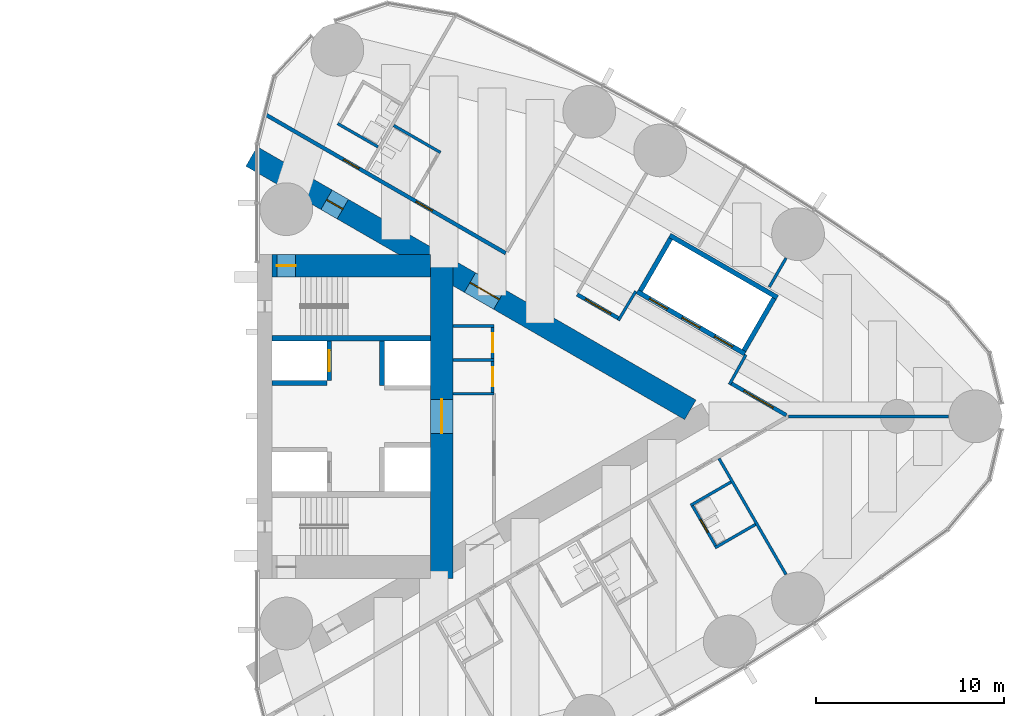
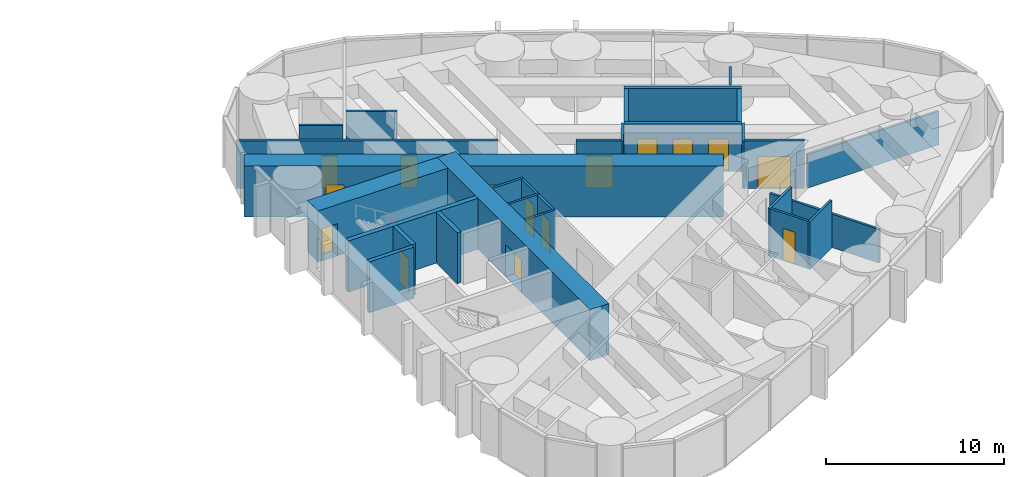
# One storey, part 15 of 19: 29 walls, 15 doors, 15 openings.
"""IFC4 building model written with IfcOpenShell, lengths in metres."""

from ifc_helpers import new_model, si_unit, direction, frame, frame_2d, origin, place, context, subcontext, project, spatial, rectangle, extrude, material, layer, layer_set, type_object, element, fill, save


model = new_model("IFC4")

# Units and contexts
model_context = context("Model", 3, precision=1e-05, world=origin(), true_north=direction((0.0, 1.0)))
body_context = subcontext(model_context, "Body", "Model", "MODEL_VIEW")
ifc_project = project(units=[si_unit("LENGTHUNIT", "METRE"), si_unit("AREAUNIT", "SQUARE_METRE"), si_unit("VOLUMEUNIT", "CUBIC_METRE"), si_unit("PLANEANGLEUNIT", "RADIAN"), si_unit("MASSUNIT", "GRAM", prefix="KILO")], contexts=[model_context])

# Site, building, storey
site_placement = place(None, origin())
site = spatial("IfcSite", under=ifc_project, at=site_placement, CompositionType="ELEMENT")
building_placement = place(site_placement, origin())
building = spatial("IfcBuilding", under=site, at=building_placement, Name="Lancet Gate Hotel", CompositionType="ELEMENT")
storey_placement = place(building_placement, frame((0.0, 0.0, 191.300048828125)))
storey = spatial("IfcBuildingStorey", under=building, at=storey_placement, Name="L51", CompositionType="ELEMENT", Elevation=191.300048828125)

# Wall
ifc_material_1 = material(Name="Moisture resistant board partition")
ifc_layer_1 = layer(ifc_material_1, 0.14990234375)
ifc_layer_set_1 = layer_set([ifc_layer_1], Name="Bathroom wall 150")
wall_type_1 = type_object("IfcWallType", Name="Bathroom wall 150", PredefinedType="PARTITIONING", material=ifc_layer_set_1)
wall_1_placement = place(storey_placement, frame((51.81689453125, -6.9775390625, 0.0), z_axis=(0.0, 0.0, 1.0), x_axis=(0.866006523861, 0.500032699561, 0.0)))
element("IfcWall", 1, at=wall_1_placement, inside=storey, type_object=wall_type_1, Name="T2 bathroom wall 150 L51", PredefinedType="PARTITIONING", context=body_context, shape_type="SweptSolid", body=[
    extrude(rectangle(XDim=2.474853515625, YDim=0.14990234375, at=frame_2d((1.2373046875, 0.0))), origin(), (0.0, 0.0, 1.0), 3.25),
])

# Wall, opening, door
wall_2_placement = place(storey_placement, frame((50.581787109375, -4.688232421875, 0.0), z_axis=(0.0, 0.0, 1.0), x_axis=(0.500006934395, -0.866021400173, 0.0)))
wall_2 = element("IfcWall", 2, at=wall_2_placement, inside=storey, type_object=wall_type_1, Name="T2 bathroom wall 150 L51", PredefinedType="PARTITIONING", context=body_context, shape_type="SweptSolid", body=[
    extrude(rectangle(XDim=2.60009765625, YDim=0.14990234375, at=frame_2d((1.300048828125, 0.0))), origin(), (0.0, 0.0, 1.0), 3.25),
])
opening_1_placement = place(wall_2_placement, frame((0.89990234375, 0.0, 0.0)))
opening_1 = element("IfcOpeningElement", 3, at=opening_1_placement, cuts=wall_2, Name="Opening 5156-B", PredefinedType="OPENING", context=body_context, shape_type="SweptSolid", body=[
    extrude(rectangle(XDim=0.800048828125, YDim=2.199951171875, at=frame_2d((0.39990234375, 1.10009765625))), frame((0.0, 0.0849609375, 0.0), z_axis=(0.0, -1.0, 0.0), x_axis=(1.0, 0.0, 0.0)), (0.0, 0.0, 1.0), 0.169921875),
])
ifc_material_2 = material(Name="Timber door set", Category="wood")
door_type_1 = type_object("IfcDoorType", Name="Bathroom door 800", OperationType="SINGLE_SWING_RIGHT", PredefinedType="DOOR", material=ifc_material_2)
door_1_placement = place(opening_1_placement, origin())
door_1 = element("IfcDoor", 4, at=door_1_placement, inside=storey, type_object=door_type_1, Name="5156-B", OperationType="SINGLE_SWING_RIGHT", OverallHeight=2.199951171875, OverallWidth=0.800048828125, PredefinedType="DOOR", context=body_context, shape_type="SweptSolid", body=[
    extrude(rectangle(XDim=0.800048828125, YDim=2.199951171875, at=frame_2d((0.39990234375, 1.10009765625))), frame((0.0, 0.02490234375, 0.0), z_axis=(0.0, -1.0, 0.0), x_axis=(1.0, 0.0, 0.0)), (0.0, 0.0, 1.0), 0.050048828125),
])
fill(opening_1, door_1)

# Walls
wall_3_placement = place(storey_placement, frame((50.516845703125, -4.725830078125, 0.0), z_axis=(0.0, 0.0, 1.0), x_axis=(0.866031185235, 0.4999899861, 0.0)))
element("IfcWall", 5, at=wall_3_placement, inside=storey, type_object=wall_type_1, Name="T2 bathroom wall 150 L51", PredefinedType="PARTITIONING", context=body_context, shape_type="SweptSolid", body=[
    extrude(rectangle(XDim=2.47509765625, YDim=0.14990234375, at=frame_2d((1.237548828125, 0.0))), origin(), (0.0, 0.0, 1.0), 3.25),
])
wall_4_placement = place(storey_placement, frame((34.74853515625, 15.4462890625, 0.0), z_axis=(0.0, 0.0, 1.0), x_axis=(0.866018712932, -0.500011588718, 0.0)))
element("IfcWall", 6, at=wall_4_placement, inside=storey, type_object=wall_type_1, Name="T2 bathroom wall 150 L51", PredefinedType="PARTITIONING", context=body_context, shape_type="SweptSolid", body=[
    extrude(rectangle(XDim=2.875, YDim=0.14990234375, at=frame_2d((1.4375, 0.0))), origin(), (0.0, 0.0, 1.0), 3.25),
])
wall_5_placement = place(storey_placement, frame((31.775146484375, 15.54638671875, 0.0), z_axis=(0.0, 0.0, 1.0), x_axis=(0.866031185235, -0.4999899861, 0.0)))
element("IfcWall", 7, at=wall_5_placement, inside=storey, type_object=wall_type_1, Name="T2 bathroom wall 150 L51", PredefinedType="PARTITIONING", context=body_context, shape_type="SweptSolid", body=[
    extrude(rectangle(XDim=2.47509765625, YDim=0.14990234375, at=frame_2d((1.237548828125, 0.0))), origin(), (0.0, 0.0, 1.0), 3.25),
])

# Wall, openings, doors
ifc_material_3 = material(Name="Concrete C70/85", Category="concrete")
ifc_layer_2 = layer(ifc_material_3, 1.199951171875)
ifc_layer_set_2 = layer_set([ifc_layer_2], Name="Buttress wall 1200")
wall_type_2 = type_object("IfcWallType", Name="Buttress wall 1200", PredefinedType="SHEAR", material=ifc_layer_set_2)
wall_6_placement = place(storey_placement, frame((27.199951171875, 13.800048828125, 0.0), z_axis=(0.0, 0.0, 1.0), x_axis=(0.866024515034, -0.500001539357, 0.0)))
wall_6 = element("IfcWall", 8, at=wall_6_placement, inside=storey, type_object=wall_type_2, Name="T2 buttress wall N L51", PredefinedType="SHEAR", context=body_context, shape_type="SweptSolid", body=[
    extrude(rectangle(XDim=26.9072265625, YDim=1.199951171875, at=frame_2d((13.45361328125, 0.0))), origin(), (0.0, 0.0, 1.0), 3.5),
])
opening_2_placement = place(wall_6_placement, frame((4.60009765625, 0.0, 0.0)))
opening_2 = element("IfcOpeningElement", 9, at=opening_2_placement, cuts=wall_6, Name="Opening T2-L51-LN", PredefinedType="OPENING", context=body_context, shape_type="SweptSolid", body=[
    extrude(rectangle(XDim=1.0, YDim=2.199951171875, at=frame_2d((0.5, 1.10009765625))), frame((0.0, 0.60986328125, 0.0), z_axis=(0.0, -1.0, 0.0), x_axis=(1.0, 0.0, 0.0)), (0.0, 0.0, 1.0), 1.219970703125),
])
opening_3_placement = place(wall_6_placement, frame((13.39453125, 0.0, 0.0)))
opening_3 = element("IfcOpeningElement", 10, at=opening_3_placement, cuts=wall_6, Name="Opening T2-L51-LHN", PredefinedType="OPENING", context=body_context, shape_type="SweptSolid", body=[
    extrude(rectangle(XDim=1.800048828125, YDim=2.199951171875, at=frame_2d((0.89990234375, 1.10009765625))), frame((0.0, 0.60986328125, 0.0), z_axis=(0.0, -1.0, 0.0), x_axis=(1.0, 0.0, 0.0)), (0.0, 0.0, 1.0), 1.219970703125),
])
ifc_material_4 = material(Name="Timber door set", Category="wood")
door_type_2 = type_object("IfcDoorType", Name="Lobby double door 1800", OperationType="DOUBLE_DOOR_SINGLE_SWING", PredefinedType="DOOR", material=ifc_material_4)
door_2_placement = place(opening_3_placement, origin())
door_2 = element("IfcDoor", 11, at=door_2_placement, inside=storey, type_object=door_type_2, Name="T2-L51-LHN", OperationType="DOUBLE_DOOR_SINGLE_SWING", OverallHeight=2.199951171875, OverallWidth=1.800048828125, PredefinedType="DOOR", context=body_context, shape_type="SweptSolid", body=[
    extrude(rectangle(XDim=1.800048828125, YDim=2.199951171875, at=frame_2d((0.89990234375, 1.10009765625))), frame((0.0, 0.02490234375, 0.0), z_axis=(0.0, -1.0, 0.0), x_axis=(1.0, 0.0, 0.0)), (0.0, 0.0, 1.0), 0.050048828125),
])
fill(opening_3, door_2)
ifc_material_5 = material(Name="Timber door set", Category="wood")
door_type_3 = type_object("IfcDoorType", Name="Stair lobby door 1000", OperationType="SINGLE_SWING_LEFT", PredefinedType="DOOR", material=ifc_material_5)
door_3_placement = place(opening_2_placement, origin())
door_3 = element("IfcDoor", 12, at=door_3_placement, inside=storey, type_object=door_type_3, Name="T2-L51-LN", OperationType="SINGLE_SWING_LEFT", OverallHeight=2.199951171875, OverallWidth=1.0, PredefinedType="DOOR", context=body_context, shape_type="SweptSolid", body=[
    extrude(rectangle(XDim=1.0, YDim=2.199951171875, at=frame_2d((0.5, 1.10009765625))), frame((0.0, 0.02490234375, 0.0), z_axis=(0.0, -1.0, 0.0), x_axis=(1.0, 0.0, 0.0)), (0.0, 0.0, 1.0), 0.050048828125),
])
fill(opening_2, door_3)

# Wall, opening, door
ifc_material_6 = material(Name="Concrete C70/85", Category="concrete")
ifc_layer_3 = layer(ifc_material_6, 1.199951171875)
ifc_layer_set_3 = layer_set([ifc_layer_3], Name="Core wall 1200")
wall_type_3 = type_object("IfcWallType", Name="Core wall 1200", PredefinedType="SHEAR", material=ifc_layer_set_3)
wall_7_placement = place(storey_placement, frame((37.300048828125, -8.60009765625, 0.0), z_axis=(0.0, 0.0, 1.0), x_axis=(0.0, 1.0, 0.0)))
wall_7 = element("IfcWall", 13, at=wall_7_placement, inside=storey, type_object=wall_type_3, Name="T2 core wall back L51", PredefinedType="SHEAR", context=body_context, shape_type="SweptSolid", body=[
    extrude(rectangle(XDim=17.2001953125, YDim=1.199951171875, at=frame_2d((8.60009765625, 0.0))), origin(), (0.0, 0.0, 1.0), 3.5),
])
opening_4_placement = place(wall_7_placement, frame((7.699951171875, 0.0, 0.0)))
opening_4 = element("IfcOpeningElement", 14, at=opening_4_placement, cuts=wall_7, Name="Opening T2-L51-LL", PredefinedType="OPENING", context=body_context, shape_type="SweptSolid", body=[
    extrude(rectangle(XDim=1.800048828125, YDim=2.199951171875, at=frame_2d((0.89990234375, 1.10009765625))), frame((0.0, 0.60986328125, 0.0), z_axis=(0.0, -1.0, 0.0), x_axis=(1.0, 0.0, 0.0)), (0.0, 0.0, 1.0), 1.219970703125),
])
door_4_placement = place(opening_4_placement, origin())
door_4 = element("IfcDoor", 15, at=door_4_placement, inside=storey, type_object=door_type_2, Name="T2-L51-LL", OperationType="DOUBLE_DOOR_SINGLE_SWING", OverallHeight=2.199951171875, OverallWidth=1.800048828125, PredefinedType="DOOR", context=body_context, shape_type="SweptSolid", body=[
    extrude(rectangle(XDim=1.800048828125, YDim=2.199951171875, at=frame_2d((0.89990234375, 1.10009765625))), frame((0.0, 0.02490234375, 0.0), z_axis=(0.0, -1.0, 0.0), x_axis=(1.0, 0.0, 0.0)), (0.0, 0.0, 1.0), 0.050048828125),
])
fill(opening_4, door_4)

wall_8_placement = place(storey_placement, frame((28.300048828125, 8.0, 0.0), z_axis=(0.0, 0.0, 1.0), x_axis=(1.0, 0.0, 0.0)))
wall_8 = element("IfcWall", 16, at=wall_8_placement, inside=storey, type_object=wall_type_3, Name="T2 core wall side-N L51", PredefinedType="SHEAR", context=body_context, shape_type="SweptSolid", body=[
    extrude(rectangle(XDim=8.39990234375, YDim=1.199951171875, at=frame_2d((4.199951171875, 0.0))), origin(), (0.0, 0.0, 1.0), 3.5),
])
opening_5_placement = place(wall_8_placement, frame((0.25, 0.0, 0.0)))
opening_5 = element("IfcOpeningElement", 17, at=opening_5_placement, cuts=wall_8, Name="Opening T2-L51-ST2", PredefinedType="OPENING", context=body_context, shape_type="SweptSolid", body=[
    extrude(rectangle(XDim=1.0, YDim=2.199951171875, at=frame_2d((0.5, 1.10009765625))), frame((0.0, 0.60986328125, 0.0), z_axis=(0.0, -1.0, 0.0), x_axis=(1.0, 0.0, 0.0)), (0.0, 0.0, 1.0), 1.219970703125),
])
ifc_material_7 = material(Name="Timber door set", Category="wood")
door_type_4 = type_object("IfcDoorType", Name="Stair door 1000", OperationType="SINGLE_SWING_RIGHT", PredefinedType="DOOR", material=ifc_material_7)
door_5_placement = place(opening_5_placement, origin())
door_5 = element("IfcDoor", 18, at=door_5_placement, inside=storey, type_object=door_type_4, Name="T2-L51-ST2", OperationType="SINGLE_SWING_RIGHT", OverallHeight=2.199951171875, OverallWidth=1.0, PredefinedType="DOOR", context=body_context, shape_type="SweptSolid", body=[
    extrude(rectangle(XDim=1.0, YDim=2.199951171875, at=frame_2d((0.5, 1.10009765625))), frame((0.0, 0.02490234375, 0.0), z_axis=(0.0, -1.0, 0.0), x_axis=(1.0, 0.0, 0.0)), (0.0, 0.0, 1.0), 0.050048828125),
])
fill(opening_5, door_5)

ifc_material_8 = material(Name="Gypsum board partition")
ifc_layer_4 = layer(ifc_material_8, 0.199951171875)
ifc_layer_set_4 = layer_set([ifc_layer_4], Name="Corridor wall 200")
wall_type_4 = type_object("IfcWallType", Name="Corridor wall 200", PredefinedType="PARTITIONING", material=ifc_layer_set_4)
wall_9_placement = place(storey_placement, frame((52.63916015625, 1.7685546875, 0.0), z_axis=(0.0, 0.0, 1.0), x_axis=(0.866027340901, -0.4999966448, 0.0)))
wall_9 = element("IfcWall", 19, at=wall_9_placement, inside=storey, type_object=wall_type_4, Name="T2 corridor wall 200 L51", PredefinedType="PARTITIONING", context=body_context, shape_type="SweptSolid", body=[
    extrude(rectangle(XDim=3.4169921875, YDim=0.199951171875, at=frame_2d((1.70849609375, 0.0))), origin(), (0.0, 0.0, 1.0), 3.25),
])
opening_6_placement = place(wall_9_placement, frame((0.80859375, 0.0, 0.0)))
opening_6 = element("IfcOpeningElement", 20, at=opening_6_placement, cuts=wall_9, Name="Opening T2-L51-LO1", PredefinedType="OPENING", context=body_context, shape_type="SweptSolid", body=[
    extrude(rectangle(XDim=1.800048828125, YDim=2.199951171875, at=frame_2d((0.89990234375, 1.10009765625))), frame((0.0, 0.10986328125, 0.0), z_axis=(0.0, -1.0, 0.0), x_axis=(1.0, 0.0, 0.0)), (0.0, 0.0, 1.0), 0.219970703125),
])
ifc_material_9 = material(Name="Timber door set", Category="wood")
door_type_5 = type_object("IfcDoorType", Name="Double door 1800", OperationType="DOUBLE_DOOR_SINGLE_SWING", PredefinedType="DOOR", material=ifc_material_9)
door_6_placement = place(opening_6_placement, origin())
door_6 = element("IfcDoor", 21, at=door_6_placement, inside=storey, type_object=door_type_5, Name="T2-L51-LO1", OperationType="DOUBLE_DOOR_SINGLE_SWING", OverallHeight=2.199951171875, OverallWidth=1.800048828125, PredefinedType="DOOR", context=body_context, shape_type="SweptSolid", body=[
    extrude(rectangle(XDim=1.800048828125, YDim=2.199951171875, at=frame_2d((0.89990234375, 1.10009765625))), frame((0.0, 0.02490234375, 0.0), z_axis=(0.0, -1.0, 0.0), x_axis=(1.0, 0.0, 0.0)), (0.0, 0.0, 1.0), 0.050048828125),
])
fill(opening_6, door_6)

# Wall, openings, doors
wall_10_placement = place(storey_placement, frame((27.95947265625, 16.017333984375, 0.0), z_axis=(0.0, 0.0, 1.0), x_axis=(0.866024165033, -0.500002145574, 0.0)))
wall_10 = element("IfcWall", 22, at=wall_10_placement, inside=storey, type_object=wall_type_4, Name="T2 corridor wall 200 L51", PredefinedType="PARTITIONING", context=body_context, shape_type="SweptSolid", body=[
    extrude(rectangle(XDim=14.708984375, YDim=0.199951171875, at=frame_2d((7.3544921875, 0.0))), origin(), (0.0, 0.0, 1.0), 3.25),
])
opening_7_placement = place(wall_10_placement, frame((9.215087890625, 0.0, 0.0)))
opening_7 = element("IfcOpeningElement", 23, at=opening_7_placement, cuts=wall_10, Name="Opening 5162-E", PredefinedType="OPENING", context=body_context, shape_type="SweptSolid", body=[
    extrude(rectangle(XDim=1.0, YDim=2.199951171875, at=frame_2d((0.5, 1.10009765625))), frame((0.0, 0.10986328125, 0.0), z_axis=(0.0, -1.0, 0.0), x_axis=(1.0, 0.0, 0.0)), (0.0, 0.0, 1.0), 0.219970703125),
])
opening_8_placement = place(wall_10_placement, frame((4.764892578125, 0.0, 0.0)))
opening_8 = element("IfcOpeningElement", 24, at=opening_8_placement, cuts=wall_10, Name="Opening 5164-E", PredefinedType="OPENING", context=body_context, shape_type="SweptSolid", body=[
    extrude(rectangle(XDim=0.949951171875, YDim=2.199951171875, at=frame_2d((0.47509765625, 1.10009765625))), frame((0.0, 0.10986328125, 0.0), z_axis=(0.0, -1.0, 0.0), x_axis=(1.0, 0.0, 0.0)), (0.0, 0.0, 1.0), 0.219970703125),
])
ifc_material_10 = material(Name="Timber door set", Category="wood")
door_type_6 = type_object("IfcDoorType", Name="Accessible guest room door 1000", OperationType="SINGLE_SWING_LEFT", PredefinedType="DOOR", material=ifc_material_10)
door_7_placement = place(opening_7_placement, origin())
door_7 = element("IfcDoor", 25, at=door_7_placement, inside=storey, type_object=door_type_6, Name="5162-E", OperationType="SINGLE_SWING_LEFT", OverallHeight=2.199951171875, OverallWidth=1.0, PredefinedType="DOOR", context=body_context, shape_type="SweptSolid", body=[
    extrude(rectangle(XDim=1.0, YDim=2.199951171875, at=frame_2d((0.5, 1.10009765625))), frame((0.0, 0.02490234375, 0.0), z_axis=(0.0, -1.0, 0.0), x_axis=(1.0, 0.0, 0.0)), (0.0, 0.0, 1.0), 0.050048828125),
])
fill(opening_7, door_7)
ifc_material_11 = material(Name="Timber door set", Category="wood")
door_type_7 = type_object("IfcDoorType", Name="Guest room entry door 950", OperationType="SINGLE_SWING_LEFT", PredefinedType="DOOR", material=ifc_material_11)
door_8_placement = place(opening_8_placement, origin())
door_8 = element("IfcDoor", 26, at=door_8_placement, inside=storey, type_object=door_type_7, Name="5164-E", OperationType="SINGLE_SWING_LEFT", OverallHeight=2.199951171875, OverallWidth=0.949951171875, PredefinedType="DOOR", context=body_context, shape_type="SweptSolid", body=[
    extrude(rectangle(XDim=0.949951171875, YDim=2.199951171875, at=frame_2d((0.47509765625, 1.10009765625))), frame((0.0, 0.02490234375, 0.0), z_axis=(0.0, -1.0, 0.0), x_axis=(1.0, 0.0, 0.0)), (0.0, 0.0, 1.0), 0.050048828125),
])
fill(opening_8, door_8)

# Wall, opening, door
wall_11_placement = place(storey_placement, frame((44.4931640625, 6.4716796875, 0.0), z_axis=(0.0, 0.0, 1.0), x_axis=(0.866027140358, -0.499996992154, 0.0)))
wall_11 = element("IfcWall", 27, at=wall_11_placement, inside=storey, type_object=wall_type_4, Name="T2 corridor wall 200 L51", PredefinedType="PARTITIONING", context=body_context, shape_type="SweptSolid", body=[
    extrude(rectangle(XDim=2.56591796875, YDim=0.199951171875, at=frame_2d((1.282958984375, 0.0))), origin(), (0.0, 0.0, 1.0), 3.25),
])
opening_9_placement = place(wall_11_placement, frame((0.5, 0.0, 0.0)))
opening_9 = element("IfcOpeningElement", 28, at=opening_9_placement, cuts=wall_11, Name="Opening T2-L51-LO2", PredefinedType="OPENING", context=body_context, shape_type="SweptSolid", body=[
    extrude(rectangle(XDim=1.56591796875, YDim=2.199951171875, at=frame_2d((0.782958984375, 1.10009765625))), frame((0.0, 0.10986328125, 0.0), z_axis=(0.0, -1.0, 0.0), x_axis=(1.0, 0.0, 0.0)), (0.0, 0.0, 1.0), 0.219970703125),
])
door_9_placement = place(opening_9_placement, origin())
door_9 = element("IfcDoor", 29, at=door_9_placement, inside=storey, type_object=door_type_7, Name="T2-L51-LO2", OperationType="SINGLE_SWING_LEFT", OverallHeight=2.199951171875, OverallWidth=1.56591796875, PredefinedType="DOOR", context=body_context, shape_type="SweptSolid", body=[
    extrude(rectangle(XDim=1.56591796875, YDim=2.199951171875, at=frame_2d((0.782958984375, 1.10009765625))), frame((0.0, 0.02490234375, 0.0), z_axis=(0.0, -1.0, 0.0), x_axis=(1.0, 0.0, 0.0)), (0.0, 0.0, 1.0), 0.050048828125),
])
fill(opening_9, door_9)

# Wall, openings, doors
ifc_material_12 = material(Name="Gypsum board partition")
ifc_layer_5 = layer(ifc_material_12, 0.25)
ifc_layer_set_5 = layer_set([ifc_layer_5], Name="Lift shaft partition 250")
wall_type_5 = type_object("IfcWallType", Name="Lift shaft partition 250", PredefinedType="PARTITIONING", material=ifc_layer_set_5)
wall_12_placement = place(storey_placement, frame((47.681396484375, 6.622314453125, 0.0), z_axis=(0.0, 0.0, 1.0), x_axis=(0.86603344179, -0.499986077507, 0.0)))
wall_12 = element("IfcWall", 30, at=wall_12_placement, inside=storey, type_object=wall_type_5, Name="T2 lift shaft wall HL L51", PredefinedType="PARTITIONING", context=body_context, shape_type="SweptSolid", body=[
    extrude(rectangle(XDim=6.600341796875, YDim=0.25, at=frame_2d((3.30029296875, 0.0))), origin(), (0.0, 0.0, 1.0), 3.25),
])
opening_10_placement = place(wall_12_placement, frame((0.75, 0.0, 0.0)))
opening_10 = element("IfcOpeningElement", 31, at=opening_10_placement, cuts=wall_12, Name="Opening T2-HL1-L51", PredefinedType="OPENING", context=body_context, shape_type="SweptSolid", body=[
    extrude(rectangle(XDim=1.10009765625, YDim=2.199951171875, at=frame_2d((0.550048828125, 1.10009765625))), frame((0.0, 0.135009765625, 0.0), z_axis=(0.0, -1.0, 0.0), x_axis=(1.0, 0.0, 0.0)), (0.0, 0.0, 1.0), 0.27001953125),
])
opening_11_placement = place(wall_12_placement, frame((2.75, 0.0, 0.0)))
opening_11 = element("IfcOpeningElement", 32, at=opening_11_placement, cuts=wall_12, Name="Opening T2-HL2-L51", PredefinedType="OPENING", context=body_context, shape_type="SweptSolid", body=[
    extrude(rectangle(XDim=1.10009765625, YDim=2.199951171875, at=frame_2d((0.550048828125, 1.10009765625))), frame((0.0, 0.135009765625, 0.0), z_axis=(0.0, -1.0, 0.0), x_axis=(1.0, 0.0, 0.0)), (0.0, 0.0, 1.0), 0.27001953125),
])
opening_12_placement = place(wall_12_placement, frame((4.75, 0.0, 0.0)))
opening_12 = element("IfcOpeningElement", 33, at=opening_12_placement, cuts=wall_12, Name="Opening T2-HL3-L51", PredefinedType="OPENING", context=body_context, shape_type="SweptSolid", body=[
    extrude(rectangle(XDim=1.10009765625, YDim=2.199951171875, at=frame_2d((0.550048828125, 1.10009765625))), frame((0.0, 0.135009765625, 0.0), z_axis=(0.0, -1.0, 0.0), x_axis=(1.0, 0.0, 0.0)), (0.0, 0.0, 1.0), 0.27001953125),
])
ifc_material_13 = material(Name="Steel door set", Category="steel")
door_type_8 = type_object("IfcDoorType", Name="Lift landing door 1100", OperationType="DOUBLE_DOOR_SLIDING", PredefinedType="USERDEFINED", material=ifc_material_13)
door_10_placement = place(opening_10_placement, origin())
door_10 = element("IfcDoor", 34, at=door_10_placement, inside=storey, type_object=door_type_8, Name="T2-HL1-L51", ObjectType="LIFT LANDING DOOR", OperationType="DOUBLE_DOOR_SLIDING", OverallHeight=2.199951171875, OverallWidth=1.10009765625, PredefinedType="USERDEFINED", context=body_context, shape_type="SweptSolid", body=[
    extrude(rectangle(XDim=1.10009765625, YDim=2.199951171875, at=frame_2d((0.550048828125, 1.10009765625))), frame((0.0, 0.02490234375, 0.0), z_axis=(0.0, -1.0, 0.0), x_axis=(1.0, 0.0, 0.0)), (0.0, 0.0, 1.0), 0.050048828125),
])
fill(opening_10, door_10)
door_11_placement = place(opening_11_placement, origin())
door_11 = element("IfcDoor", 35, at=door_11_placement, inside=storey, type_object=door_type_8, Name="T2-HL2-L51", ObjectType="LIFT LANDING DOOR", OperationType="DOUBLE_DOOR_SLIDING", OverallHeight=2.199951171875, OverallWidth=1.10009765625, PredefinedType="USERDEFINED", context=body_context, shape_type="SweptSolid", body=[
    extrude(rectangle(XDim=1.10009765625, YDim=2.199951171875, at=frame_2d((0.550048828125, 1.10009765625))), frame((0.0, 0.02490234375, 0.0), z_axis=(0.0, -1.0, 0.0), x_axis=(1.0, 0.0, 0.0)), (0.0, 0.0, 1.0), 0.050048828125),
])
fill(opening_11, door_11)
door_12_placement = place(opening_12_placement, origin())
door_12 = element("IfcDoor", 36, at=door_12_placement, inside=storey, type_object=door_type_8, Name="T2-HL3-L51", ObjectType="LIFT LANDING DOOR", OperationType="DOUBLE_DOOR_SLIDING", OverallHeight=2.199951171875, OverallWidth=1.10009765625, PredefinedType="USERDEFINED", context=body_context, shape_type="SweptSolid", body=[
    extrude(rectangle(XDim=1.10009765625, YDim=2.199951171875, at=frame_2d((0.550048828125, 1.10009765625))), frame((0.0, 0.02490234375, 0.0), z_axis=(0.0, -1.0, 0.0), x_axis=(1.0, 0.0, 0.0)), (0.0, 0.0, 1.0), 0.050048828125),
])
fill(opening_12, door_12)

# Walls
wall_13_placement = place(storey_placement, frame((49.406494140625, 9.61083984375, 0.0), z_axis=(0.0, 0.0, 1.0), x_axis=(0.86603344179, -0.499986077507, 0.0)))
element("IfcWall", 37, at=wall_13_placement, inside=storey, type_object=wall_type_5, Name="T2 lift shaft wall HL L51", PredefinedType="PARTITIONING", context=body_context, shape_type="SweptSolid", body=[
    extrude(rectangle(XDim=6.600341796875, YDim=0.25, at=frame_2d((3.30029296875, 0.0))), origin(), (0.0, 0.0, 1.0), 3.25),
])
wall_14_placement = place(storey_placement, frame((47.852294921875, 6.66796875, 0.0), z_axis=(0.0, 0.0, 1.0), x_axis=(0.499929347863, 0.866066190972, 0.0)))
element("IfcWall", 38, at=wall_14_placement, inside=storey, type_object=wall_type_5, Name="T2 lift shaft wall HL L51", PredefinedType="PARTITIONING", context=body_context, shape_type="SweptSolid", body=[
    extrude(rectangle(XDim=3.20068359375, YDim=0.25, at=frame_2d((1.600341796875, 0.0))), origin(), (0.0, 0.0, 1.0), 3.25),
])
wall_15_placement = place(storey_placement, frame((53.351806640625, 3.492919921875, 0.0), z_axis=(0.0, 0.0, 1.0), x_axis=(0.499872130319, 0.866099216793, 0.0)))
element("IfcWall", 39, at=wall_15_placement, inside=storey, type_object=wall_type_5, Name="T2 lift shaft wall HL L51", PredefinedType="PARTITIONING", context=body_context, shape_type="SweptSolid", body=[
    extrude(rectangle(XDim=3.200439453125, YDim=0.25, at=frame_2d((1.60009765625, 0.0))), origin(), (0.0, 0.0, 1.0), 3.25),
])

# Wall, opening, door
ifc_material_14 = material(Name="Concrete C50/60", Category="concrete")
ifc_layer_6 = layer(ifc_material_14, 0.25)
ifc_layer_set_6 = layer_set([ifc_layer_6], Name="Lift shaft wall 250")
wall_type_6 = type_object("IfcWallType", Name="Lift shaft wall 250", PredefinedType="SHEAR", material=ifc_layer_set_6)
wall_16_placement = place(storey_placement, frame((31.324951171875, 1.89990234375, 0.0), z_axis=(0.0, 0.0, 1.0), x_axis=(0.0, 1.0, 0.0)))
wall_16 = element("IfcWall", 40, at=wall_16_placement, inside=storey, type_object=wall_type_6, Name="T2 core wall row1-N L51", PredefinedType="SHEAR", context=body_context, shape_type="SweptSolid", body=[
    extrude(rectangle(XDim=2.10009765625, YDim=0.25, at=frame_2d((1.050048828125, 0.0))), origin(), (0.0, 0.0, 1.0), 3.5),
])
opening_13_placement = place(wall_16_placement, frame((0.5, 0.0, 0.0)))
opening_13 = element("IfcOpeningElement", 41, at=opening_13_placement, cuts=wall_16, Name="Opening T2-FL2-L51", PredefinedType="OPENING", context=body_context, shape_type="SweptSolid", body=[
    extrude(rectangle(XDim=1.10009765625, YDim=2.199951171875, at=frame_2d((0.550048828125, 1.10009765625))), frame((0.0, 0.135009765625, 0.0), z_axis=(0.0, -1.0, 0.0), x_axis=(1.0, 0.0, 0.0)), (0.0, 0.0, 1.0), 0.27001953125),
])
ifc_material_15 = material(Name="Steel door set", Category="steel")
door_type_9 = type_object("IfcDoorType", Name="Firefighting lift landing door 1100", OperationType="SLIDING_TO_LEFT", PredefinedType="USERDEFINED", material=ifc_material_15)
door_13_placement = place(opening_13_placement, origin())
door_13 = element("IfcDoor", 42, at=door_13_placement, inside=storey, type_object=door_type_9, Name="T2-FL2-L51", ObjectType="LIFT LANDING DOOR", OperationType="SLIDING_TO_LEFT", OverallHeight=2.199951171875, OverallWidth=1.10009765625, PredefinedType="USERDEFINED", context=body_context, shape_type="SweptSolid", body=[
    extrude(rectangle(XDim=1.10009765625, YDim=2.199951171875, at=frame_2d((0.550048828125, 1.10009765625))), frame((0.0, 0.02490234375, 0.0), z_axis=(0.0, -1.0, 0.0), x_axis=(1.0, 0.0, 0.0)), (0.0, 0.0, 1.0), 0.050048828125),
])
fill(opening_13, door_13)

# Walls
wall_17_placement = place(storey_placement, frame((34.125, 1.64990234375, 0.0), z_axis=(0.0, 0.0, 1.0), x_axis=(0.0, 1.0, 0.0)))
element("IfcWall", 43, at=wall_17_placement, inside=storey, type_object=wall_type_6, Name="T2 core wall row2-N L51", PredefinedType="SHEAR", context=body_context, shape_type="SweptSolid", body=[
    extrude(rectangle(XDim=2.35009765625, YDim=0.25, at=frame_2d((1.175048828125, 0.0))), origin(), (0.0, 0.0, 1.0), 3.5),
])
wall_18_placement = place(storey_placement, frame((28.300048828125, 1.77490234375, 0.0), z_axis=(0.0, 0.0, 1.0), x_axis=(1.0, 0.0, 0.0)))
element("IfcWall", 44, at=wall_18_placement, inside=storey, type_object=wall_type_6, Name="T2 core wall pass1-N L51", PredefinedType="SHEAR", context=body_context, shape_type="SweptSolid", body=[
    extrude(rectangle(XDim=2.89990234375, YDim=0.25, at=frame_2d((1.449951171875, 0.0))), origin(), (0.0, 0.0, 1.0), 3.5),
])
ifc_material_16 = material(Name="Gypsum board partition")
ifc_layer_7 = layer(ifc_material_16, 0.14990234375)
ifc_layer_set_7 = layer_set([ifc_layer_7], Name="Party wall 150")
wall_type_7 = type_object("IfcWallType", Name="Party wall 150", PredefinedType="PARTITIONING", material=ifc_layer_set_7)
wall_19_placement = place(storey_placement, frame((52.025390625, -2.23828125, 0.0), z_axis=(0.0, 0.0, 1.0), x_axis=(0.499983785035, -0.866034765296, 0.0)))
element("IfcWall", 45, at=wall_19_placement, inside=storey, type_object=wall_type_7, Name="T2 party wall 150 L51", PredefinedType="PARTITIONING", context=body_context, shape_type="SweptSolid", body=[
    extrude(rectangle(XDim=7.116455078125, YDim=0.14990234375, at=frame_2d((3.55810546875, 0.0))), origin(), (0.0, 0.0, 1.0), 2.300048828125),
])
wall_20_placement = place(storey_placement, frame((55.7021484375, 0.0, 0.0), z_axis=(0.0, 0.0, 1.0), x_axis=(1.0, 0.0, 0.0)))
element("IfcWall", 46, at=wall_20_placement, inside=storey, type_object=wall_type_7, Name="T2 party wall 150 L51", PredefinedType="PARTITIONING", context=body_context, shape_type="SweptSolid", body=[
    extrude(rectangle(XDim=8.517578125, YDim=0.14990234375, at=frame_2d((4.2587890625, 0.0))), origin(), (0.0, 0.0, 1.0), 2.300048828125),
])
wall_21_placement = place(storey_placement, frame((54.700439453125, 6.871826171875, 0.0), z_axis=(0.0, 0.0, 1.0), x_axis=(0.499989690894, 0.866031355668, 0.0)))
element("IfcWall", 47, at=wall_21_placement, inside=storey, type_object=wall_type_7, Name="T2 party wall 150 L51", PredefinedType="PARTITIONING", context=body_context, shape_type="SweptSolid", body=[
    extrude(rectangle(XDim=1.76611328125, YDim=0.14990234375, at=frame_2d((0.883056640625, 0.0))), origin(), (0.0, 0.0, 1.0), 3.25),
])
ifc_material_17 = material(Name="Gypsum board partition")
ifc_layer_8 = layer(ifc_material_17, 0.14990234375)
ifc_layer_set_8 = layer_set([ifc_layer_8], Name="Service room wall 150")
wall_type_8 = type_object("IfcWallType", Name="Service room wall 150", PredefinedType="PARTITIONING", material=ifc_layer_set_8)
for number, where, z_axis, x_axis, name in (
    (48, (52.576171875, 1.689453125, 0.0), (0.0, 0.0, 1.0), (0.485482130951, 0.874246590229, 0.0), "T2 service room wall 150 L51"),
    (49, (47.6064453125, 6.642578125, 0.0), (0.0, 0.0, 1.0), (-0.514237157483, -0.857648031458, 0.0), "T2 service room wall 150 L51"),
):
    element("IfcWall", number, at=place(storey_placement, frame(where, z_axis=z_axis, x_axis=x_axis)), inside=storey, type_object=wall_type_8, Name=name, PredefinedType="PARTITIONING", context=body_context, shape_type="SweptSolid", body=[
        extrude(rectangle(XDim=1.804931640625, YDim=0.14990234375, at=frame_2d((0.90234375, 0.0))), origin(), (0.0, 0.0, 1.0), 3.25),
    ])
for number, where, z_axis, x_axis, name in (
    (50, (37.89990234375, 1.199951171875, 0.0), (0.0, 0.0, 1.0), (1.0, 0.0, 0.0), "T2 service room wall 150 L51"),
    (51, (37.89990234375, 3.0, 0.0), (0.0, 0.0, 1.0), (1.0, 0.0, 0.0), "T2 service room wall 150 L51"),
    (52, (37.89990234375, 4.800048828125, 0.0), (0.0, 0.0, 1.0), (1.0, 0.0, 0.0), "T2 service room wall 150 L51"),
):
    element("IfcWall", number, at=place(storey_placement, frame(where, z_axis=z_axis, x_axis=x_axis)), inside=storey, type_object=wall_type_8, Name=name, PredefinedType="PARTITIONING", context=body_context, shape_type="SweptSolid", body=[
        extrude(rectangle(XDim=2.175048828125, YDim=0.14990234375, at=frame_2d((1.08740234375, 0.0))), origin(), (0.0, 0.0, 1.0), 3.25),
    ])

# Wall, opening, door
wall_22_placement = place(storey_placement, frame((40.0, 1.125, 0.0), z_axis=(0.0, 0.0, 1.0), x_axis=(0.0, 1.0, 0.0)))
wall_22 = element("IfcWall", 53, at=wall_22_placement, inside=storey, type_object=wall_type_8, Name="T2 service room wall 150 L51", PredefinedType="PARTITIONING", context=body_context, shape_type="SweptSolid", body=[
    extrude(rectangle(XDim=1.949951171875, YDim=0.14990234375, at=frame_2d((0.97509765625, 0.0))), origin(), (0.0, 0.0, 1.0), 3.25),
])
opening_14_placement = place(wall_22_placement, frame((0.47509765625, 0.0, 0.0)))
opening_14 = element("IfcOpeningElement", 54, at=opening_14_placement, cuts=wall_22, Name="Opening T2-L51-HRN0", PredefinedType="OPENING", context=body_context, shape_type="SweptSolid", body=[
    extrude(rectangle(XDim=1.0, YDim=2.199951171875, at=frame_2d((0.5, 1.10009765625))), frame((0.0, 0.0849609375, 0.0), z_axis=(0.0, -1.0, 0.0), x_axis=(1.0, 0.0, 0.0)), (0.0, 0.0, 1.0), 0.169921875),
])
ifc_material_18 = material(Name="Timber door set", Category="wood")
door_type_10 = type_object("IfcDoorType", Name="Service door 1000", OperationType="SINGLE_SWING_LEFT", PredefinedType="DOOR", material=ifc_material_18)
door_14_placement = place(opening_14_placement, origin())
door_14 = element("IfcDoor", 55, at=door_14_placement, inside=storey, type_object=door_type_10, Name="T2-L51-HRN0", OperationType="SINGLE_SWING_LEFT", OverallHeight=2.199951171875, OverallWidth=1.0, PredefinedType="DOOR", context=body_context, shape_type="SweptSolid", body=[
    extrude(rectangle(XDim=1.0, YDim=2.199951171875, at=frame_2d((0.5, 1.10009765625))), frame((0.0, 0.02490234375, 0.0), z_axis=(0.0, -1.0, 0.0), x_axis=(1.0, 0.0, 0.0)), (0.0, 0.0, 1.0), 0.050048828125),
])
fill(opening_14, door_14)

wall_23_placement = place(storey_placement, frame((40.0, 2.925048828125, 0.0), z_axis=(0.0, 0.0, 1.0), x_axis=(0.0, 1.0, 0.0)))
wall_23 = element("IfcWall", 56, at=wall_23_placement, inside=storey, type_object=wall_type_8, Name="T2 service room wall 150 L51", PredefinedType="PARTITIONING", context=body_context, shape_type="SweptSolid", body=[
    extrude(rectangle(XDim=1.949951171875, YDim=0.14990234375, at=frame_2d((0.97509765625, 0.0))), origin(), (0.0, 0.0, 1.0), 3.25),
])
opening_15_placement = place(wall_23_placement, frame((0.47509765625, 0.0, 0.0)))
opening_15 = element("IfcOpeningElement", 57, at=opening_15_placement, cuts=wall_23, Name="Opening T2-L51-HRN1", PredefinedType="OPENING", context=body_context, shape_type="SweptSolid", body=[
    extrude(rectangle(XDim=1.0, YDim=2.199951171875, at=frame_2d((0.5, 1.10009765625))), frame((0.0, 0.0849609375, 0.0), z_axis=(0.0, -1.0, 0.0), x_axis=(1.0, 0.0, 0.0)), (0.0, 0.0, 1.0), 0.169921875),
])
door_15_placement = place(opening_15_placement, origin())
door_15 = element("IfcDoor", 58, at=door_15_placement, inside=storey, type_object=door_type_10, Name="T2-L51-HRN1", OperationType="SINGLE_SWING_LEFT", OverallHeight=2.199951171875, OverallWidth=1.0, PredefinedType="DOOR", context=body_context, shape_type="SweptSolid", body=[
    extrude(rectangle(XDim=1.0, YDim=2.199951171875, at=frame_2d((0.5, 1.10009765625))), frame((0.0, 0.02490234375, 0.0), z_axis=(0.0, -1.0, 0.0), x_axis=(1.0, 0.0, 0.0)), (0.0, 0.0, 1.0), 0.050048828125),
])
fill(opening_15, door_15)

# Wall
ifc_material_19 = material(Name="Concrete C50/60", Category="concrete")
ifc_layer_9 = layer(ifc_material_19, 0.300048828125)
ifc_layer_set_9 = layer_set([ifc_layer_9], Name="Stair enclosure wall 300")
wall_type_9 = type_object("IfcWallType", Name="Stair enclosure wall 300", PredefinedType="SHEAR", material=ifc_layer_set_9)
wall_24_placement = place(storey_placement, frame((28.300048828125, 4.14990234375, 0.0), z_axis=(0.0, 0.0, 1.0), x_axis=(1.0, 0.0, 0.0)))
element("IfcWall", 59, at=wall_24_placement, inside=storey, type_object=wall_type_9, Name="T2 core wall stair-N L51", PredefinedType="SHEAR", context=body_context, shape_type="SweptSolid", body=[
    extrude(rectangle(XDim=8.39990234375, YDim=0.300048828125, at=frame_2d((4.199951171875, 0.0))), origin(), (0.0, 0.0, 1.0), 3.5),
])

save(model, "model.ifc")
